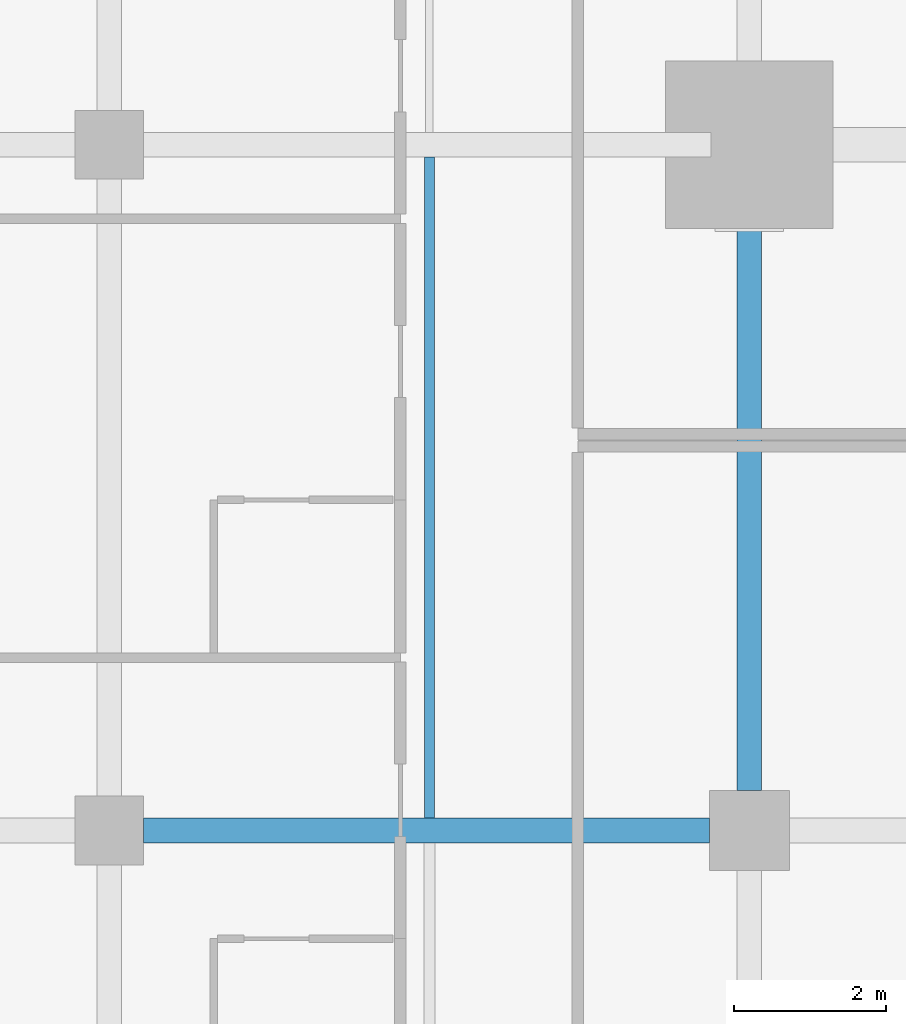
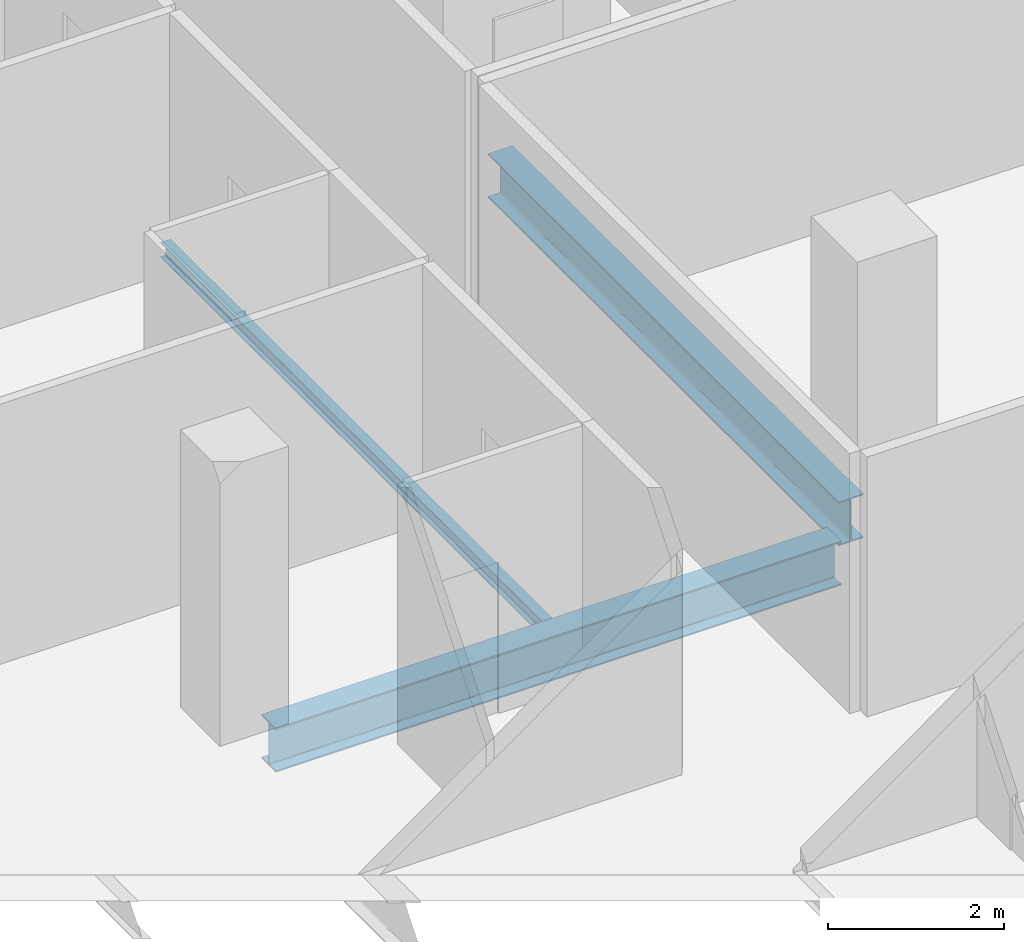
# One storey, part 11 of 40: 3 beams.
"""IFC4 building model written with IfcOpenShell, lengths in metres."""

from ifc_helpers import new_model, si_unit, direction, frame, origin, origin_2d, place, context, subcontext, project, spatial, i_section, extrude, material, material_profile, profile_set, type_object, element, save


model = new_model("IFC4")

# Units and contexts
model_context = context("Model", 3, precision=1e-05, world=origin(), true_north=direction((0.0, 1.0)))
body_context = subcontext(model_context, "Body", "Model", "MODEL_VIEW")
ifc_project = project(units=[si_unit("LENGTHUNIT", "METRE"), si_unit("AREAUNIT", "SQUARE_METRE"), si_unit("VOLUMEUNIT", "CUBIC_METRE"), si_unit("PLANEANGLEUNIT", "RADIAN"), si_unit("MASSUNIT", "GRAM", prefix="KILO")], contexts=[model_context])

# Site, building, storey
site_placement = place(None, origin())
site = spatial("IfcSite", under=ifc_project, at=site_placement, CompositionType="ELEMENT")
building_placement = place(site_placement, origin())
building = spatial("IfcBuilding", under=site, at=building_placement, Name="Maruvema Waterfront Hotel and Observation Tower", CompositionType="ELEMENT")
storey_placement = place(building_placement, frame((0.0, 0.0, 88.550048828125)))
storey = spatial("IfcBuildingStorey", under=building, at=storey_placement, Name="L21", CompositionType="ELEMENT", Elevation=88.550048828125)

# Beams
ifc_material_1 = material(Name="Steel ASTM A572 Grade 50", Category="steel")
ifc_material_profile_1 = material_profile(ifc_material_1, i_section(OverallWidth=0.323974609375, OverallDepth=0.611083984375, WebThickness=0.0126953125, FlangeThickness=0.01904296875, FilletRadius=0.01806640625, at=origin_2d()), Name="W610x155.0")
ifc_profile_set_1 = profile_set([ifc_material_profile_1], Name="Steel ASTM A572 Grade 50")
beam_type_1 = type_object("IfcBeamType", Name="Primary Floor Girder W610x155.0", PredefinedType="BEAM", material=ifc_profile_set_1)
beam_1_placement = place(storey_placement, frame((17.25, 18.0, -0.545654296875), z_axis=(1.0, 0.0, 0.0), x_axis=(0.0, 1.0, 0.0)))
element("IfcBeam", 1, at=beam_1_placement, inside=storey, type_object=beam_type_1, Name="L21 Floor Girder EW-14", PredefinedType="BEAM", context=body_context, shape_type="SweptSolid", body=[
    extrude(i_section(OverallWidth=0.323974609375, OverallDepth=0.611083984375, WebThickness=0.0126953125, FlangeThickness=0.01904296875, FilletRadius=0.01806640625, at=origin_2d()), origin(), (0.0, 0.0, 1.0), 7.425048828125),
])
beam_2_placement = place(storey_placement, frame((25.199951171875, 18.52490234375, -0.545654296875), z_axis=(0.0, 1.0, 0.0), x_axis=(-1.0, 0.0, 0.0)))
element("IfcBeam", 2, at=beam_2_placement, inside=storey, type_object=beam_type_1, Name="L21 Floor Girder NS-13", PredefinedType="BEAM", context=body_context, shape_type="SweptSolid", body=[
    extrude(i_section(OverallWidth=0.323974609375, OverallDepth=0.611083984375, WebThickness=0.0126953125, FlangeThickness=0.01904296875, FilletRadius=0.01806640625, at=origin_2d()), origin(), (0.0, 0.0, 1.0), 7.97509765625),
])
ifc_material_2 = material(Name="Steel ASTM A572 Grade 50", Category="steel")
ifc_material_profile_2 = material_profile(ifc_material_2, i_section(OverallWidth=0.133056640625, OverallDepth=0.20703125, WebThickness=0.005859375, FlangeThickness=0.00830078125, FilletRadius=0.010009765625, at=origin_2d()), Name="W200x26.6")
ifc_profile_set_2 = profile_set([ifc_material_profile_2], Name="Steel ASTM A572 Grade 50")
beam_type_2 = type_object("IfcBeamType", Name="Secondary Floor Joist W200x26.6", PredefinedType="JOIST", material=ifc_profile_set_2)
beam_3_placement = place(storey_placement, frame((21.0, 18.162109375, -0.343505859375), z_axis=(0.0, 1.0, 0.0), x_axis=(-1.0, 0.0, 0.0)))
element("IfcBeam", 3, at=beam_3_placement, inside=storey, type_object=beam_type_2, Name="L21 Secondary Floor Joist JS-07", PredefinedType="JOIST", context=body_context, shape_type="SweptSolid", body=[
    extrude(i_section(OverallWidth=0.133056640625, OverallDepth=0.20703125, WebThickness=0.005859375, FlangeThickness=0.00830078125, FilletRadius=0.010009765625, at=origin_2d()), origin(), (0.0, 0.0, 1.0), 8.67578125),
])

save(model, "model.ifc")
